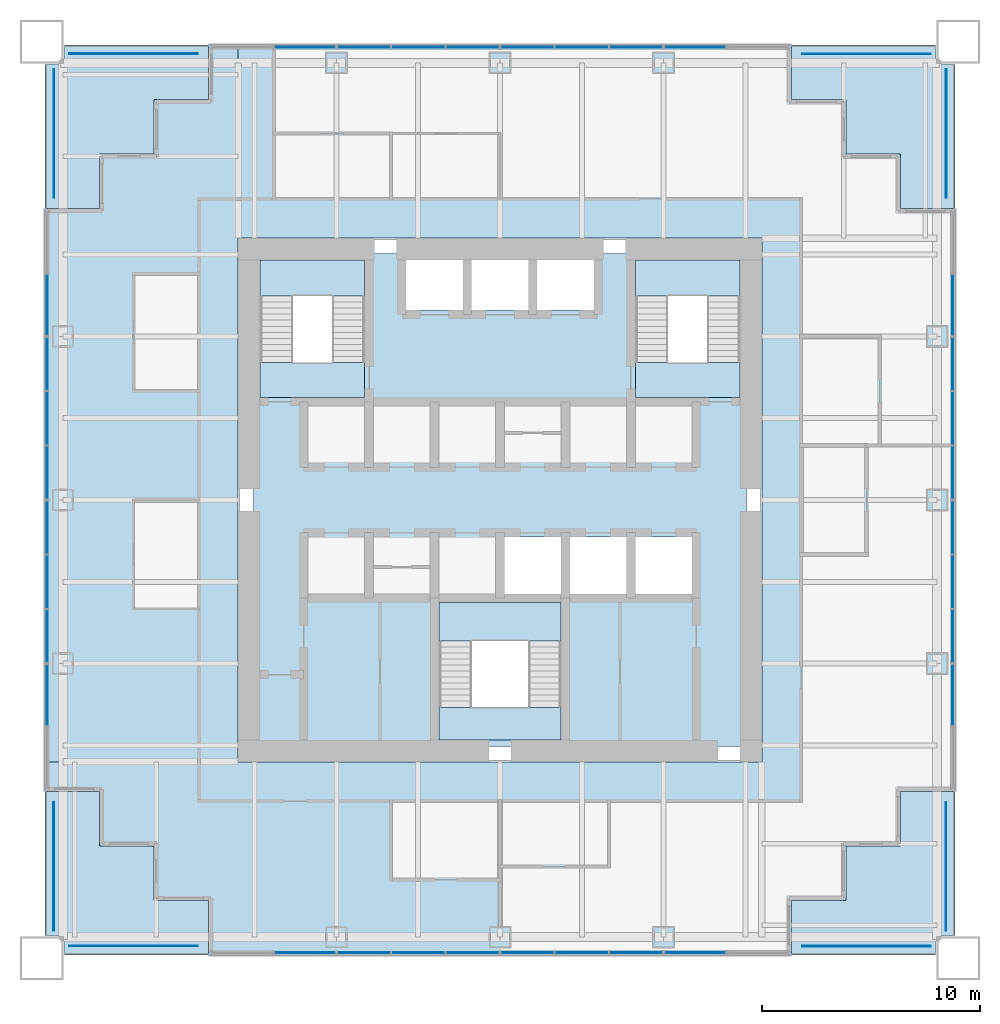
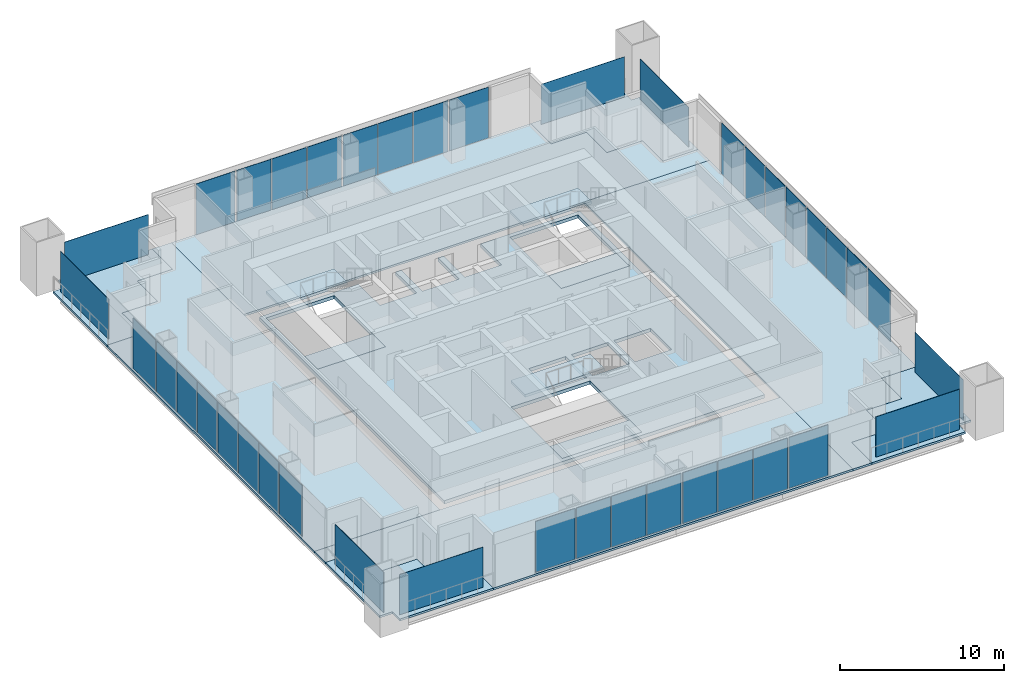
# One storey, part 8 of 14: 40 plates, 15 slabs, 19 elements without a shape of their own.
"""IFC4 building model written with IfcOpenShell, lengths in metres."""

from ifc_helpers import new_model, si_unit, direction, frame, origin, origin_2d, place, context, subcontext, project, spatial, polyline, rectangle, outline, extrude, material, layer, layer_set, type_object, element, aggregate, save


model = new_model("IFC4")

# Units and contexts
model_context = context("Model", 3, precision=1e-05, world=origin(), true_north=direction((0.0, 1.0)))
body_context = subcontext(model_context, "Body", "Model", "MODEL_VIEW")
ifc_project = project(units=[si_unit("LENGTHUNIT", "METRE"), si_unit("AREAUNIT", "SQUARE_METRE"), si_unit("VOLUMEUNIT", "CUBIC_METRE"), si_unit("PLANEANGLEUNIT", "RADIAN"), si_unit("MASSUNIT", "GRAM", prefix="KILO")], contexts=[model_context])

# Site, building, storey
site_placement = place(None, origin())
site = spatial("IfcSite", under=ifc_project, at=site_placement, CompositionType="ELEMENT")
building_placement = place(site_placement, origin())
building = spatial("IfcBuilding", under=site, at=building_placement, Name="Tarangal Relay Tower", CompositionType="ELEMENT")
storey_placement = place(building_placement, frame((0.0, 0.0, 263.89990234375)))
storey = spatial("IfcBuildingStorey", under=building, at=storey_placement, Name="L57", CompositionType="ELEMENT", Elevation=263.89990234375)

# Slabs
ifc_material_1 = material(Name="Concrete fc' 35 MPa", Category="concrete")
ifc_layer_1 = layer(ifc_material_1, 0.25)
ifc_layer_set_1 = layer_set([ifc_layer_1], Name="Core floor slab 250")
slab_type_1 = type_object("IfcSlabType", Name="Core floor slab 250", PredefinedType="FLOOR", material=ifc_layer_set_1)
slab_1_placement = place(storey_placement, frame((0.0, 0.0, -0.25)))
element("IfcSlab", 1, at=slab_1_placement, inside=storey, type_object=slab_type_1, Name="Core floor slab L57", PredefinedType="FLOOR", context=body_context, shape_type="SweptSolid", body=[
    extrude(outline(polyline([(11.300048828125, 11.300048828125), (11.300048828125, -11.300048828125), (-11.300048828125, -11.300048828125), (-11.300048828125, 11.300048828125), (-4.300048828125, 11.300048828125), (-4.300048828125, 8.699951171875), (-1.699951171875, 8.699951171875), (-1.699951171875, 11.300048828125), (-1.300048828125, 11.300048828125), (-1.300048828125, 8.699951171875), (1.300048828125, 8.699951171875), (1.300048828125, 11.300048828125), (1.699951171875, 11.300048828125), (1.699951171875, 8.699951171875), (4.300048828125, 8.699951171875), (4.300048828125, 11.300048828125), (11.300048828125, 11.300048828125)]), holes=[polyline([(2.800048828125, -4.699951171875), (-2.800048828125, -4.699951171875), (-2.800048828125, -11.0), (2.800048828125, -11.0), (2.800048828125, -4.699951171875)]), polyline([(2.800048828125, -1.699951171875), (0.199951171875, -1.699951171875), (0.199951171875, -4.300048828125), (2.800048828125, -4.300048828125), (2.800048828125, -1.699951171875)]), polyline([(5.800048828125, -1.699951171875), (3.199951171875, -1.699951171875), (3.199951171875, -4.300048828125), (5.800048828125, -4.300048828125), (5.800048828125, -1.699951171875)]), polyline([(8.800048828125, -1.699951171875), (6.199951171875, -1.699951171875), (6.199951171875, -4.300048828125), (8.800048828125, -4.300048828125), (8.800048828125, -1.699951171875)]), polyline([(-6.199951171875, 11.0), (-11.0, 11.0), (-11.0, 4.699951171875), (-6.199951171875, 4.699951171875), (-6.199951171875, 11.0)]), polyline([(11.0, 11.0), (6.199951171875, 11.0), (6.199951171875, 4.699951171875), (11.0, 4.699951171875), (11.0, 11.0)])]), origin(), (0.0, 0.0, 1.0), 0.25),
])
ifc_layer_2 = layer(ifc_material_1, 0.14990234375)
ifc_layer_set_2 = layer_set([ifc_layer_2], Name="Floor slab 150")
slab_type_2 = type_object("IfcSlabType", Name="Floor slab 150", PredefinedType="FLOOR", material=ifc_layer_set_2)
slab_2_placement = place(storey_placement, frame((0.0, 0.0, -0.14990234375)))
element("IfcSlab", 2, at=slab_2_placement, inside=storey, type_object=slab_type_2, Name="Floor slab FS3 L57 north bay", PredefinedType="FLOOR", context=body_context, shape_type="SweptSolid", body=[
    extrude(outline(polyline([(13.35009765625, 20.85009765625), (13.35009765625, 18.35009765625), (15.85009765625, 18.35009765625), (15.85009765625, 15.85009765625), (18.35009765625, 15.85009765625), (18.35009765625, 13.35009765625), (20.85009765625, 13.35009765625), (20.85009765625, 12.0), (-12.0, 12.0), (-12.0, 20.85009765625), (13.35009765625, 20.85009765625)])), origin(), (0.0, 0.0, 1.0), 0.14990234375),
])
slab_3_placement = place(storey_placement, frame((0.0, 0.0, -0.14990234375)))
element("IfcSlab", 3, at=slab_3_placement, inside=storey, type_object=slab_type_2, Name="Floor slab FS3 L57 east bay", PredefinedType="FLOOR", context=body_context, shape_type="SweptSolid", body=[
    extrude(outline(polyline([(20.85009765625, -13.35009765625), (18.35009765625, -13.35009765625), (18.35009765625, -15.85009765625), (15.85009765625, -15.85009765625), (15.85009765625, -18.35009765625), (13.35009765625, -18.35009765625), (13.35009765625, -20.85009765625), (12.0, -20.85009765625), (12.0, 12.0), (20.85009765625, 12.0), (20.85009765625, -13.35009765625)])), origin(), (0.0, 0.0, 1.0), 0.14990234375),
])
slab_4_placement = place(storey_placement, frame((0.0, 0.0, -0.14990234375)))
element("IfcSlab", 4, at=slab_4_placement, inside=storey, type_object=slab_type_2, Name="Floor slab FS3 L57 south bay", PredefinedType="FLOOR", context=body_context, shape_type="SweptSolid", body=[
    extrude(outline(polyline([(-13.35009765625, -20.85009765625), (-13.35009765625, -18.35009765625), (-15.85009765625, -18.35009765625), (-15.85009765625, -15.85009765625), (-18.35009765625, -15.85009765625), (-18.35009765625, -13.35009765625), (-20.85009765625, -13.35009765625), (-20.85009765625, -12.0), (12.0, -12.0), (12.0, -20.85009765625), (-13.35009765625, -20.85009765625)])), origin(), (0.0, 0.0, 1.0), 0.14990234375),
])
slab_5_placement = place(storey_placement, frame((0.0, 0.0, -0.14990234375)))
element("IfcSlab", 5, at=slab_5_placement, inside=storey, type_object=slab_type_2, Name="Floor slab FS3 L57 west bay", PredefinedType="FLOOR", context=body_context, shape_type="SweptSolid", body=[
    extrude(outline(polyline([(-12.0, 20.85009765625), (-12.0, -12.0), (-20.85009765625, -12.0), (-20.85009765625, 13.35009765625), (-18.35009765625, 13.35009765625), (-18.35009765625, 15.85009765625), (-15.85009765625, 15.85009765625), (-15.85009765625, 18.35009765625), (-13.35009765625, 18.35009765625), (-13.35009765625, 20.85009765625), (-12.0, 20.85009765625)])), origin(), (0.0, 0.0, 1.0), 0.14990234375),
])

# Curtain wall, plate
ifc_material_2 = material(Name="Unitised curtain wall, dark glass and black aluminium", Category="aluminium")
curtain_wall_type = type_object("IfcCurtainWallType", Name="Curtain wall CW-B", PredefinedType="USERDEFINED", material=ifc_material_2)
curtain_wall_1_placement = place(storey_placement, origin())
curtain_wall_1 = element("IfcCurtainWall", 6, at=curtain_wall_1_placement, inside=storey, type_object=curtain_wall_type, Name="Curtain wall CW-B N facade L57", ObjectType="UNITISED CURTAIN WALL", PredefinedType="USERDEFINED")
ifc_material_3 = material(Name="Dark tinted insulated glass unit", Category="glass")
ifc_layer_3 = layer(ifc_material_3, 0.030029296875)
ifc_layer_set_3 = layer_set([ifc_layer_3], Name="Glazed panel CW-B 30")
plate_type_1 = type_object("IfcPlateType", Name="Glazed panel CW-B 30", PredefinedType="CURTAIN_PANEL", material=ifc_layer_set_3)
plate_1_placement = place(storey_placement, frame((-8.9375, 20.75, 0.06005859375), z_axis=(0.0, 0.0, 1.0), x_axis=(1.0, 0.0, 0.0)))
plate_1 = element("IfcPlate", 7, at=plate_1_placement, type_object=plate_type_1, Name="CW-B panel 1.1", PredefinedType="CURTAIN_PANEL", context=body_context, shape_type="SweptSolid", body=[
    extrude(rectangle(XDim=2.7548828125, YDim=0.030029296875, at=origin_2d()), origin(), (0.0, 0.0, 1.0), 3.7900390625),
])
aggregate(curtain_wall_1, [plate_1])

# Curtain wall, plates
curtain_wall_2_placement = place(storey_placement, origin())
curtain_wall_2 = element("IfcCurtainWall", 8, at=curtain_wall_2_placement, inside=storey, type_object=curtain_wall_type, Name="Curtain wall CW-B N facade L57", ObjectType="UNITISED CURTAIN WALL", PredefinedType="USERDEFINED")
plate_2_placement = place(storey_placement, frame((-6.235107421875, 20.75, 0.06005859375), z_axis=(0.0, 0.0, 1.0), x_axis=(1.0, 0.0, 0.0)))
plate_2 = element("IfcPlate", 9, at=plate_2_placement, type_object=plate_type_1, Name="CW-B panel 1.1", PredefinedType="CURTAIN_PANEL", context=body_context, shape_type="SweptSolid", body=[
    extrude(rectangle(XDim=2.409912109375, YDim=0.030029296875, at=origin_2d()), origin(), (0.0, 0.0, 1.0), 3.7900390625),
])
plate_3_placement = place(storey_placement, frame((-3.75, 20.75, 0.06005859375), z_axis=(0.0, 0.0, 1.0), x_axis=(1.0, 0.0, 0.0)))
plate_3 = element("IfcPlate", 10, at=plate_3_placement, type_object=plate_type_1, Name="CW-B panel 2.1", PredefinedType="CURTAIN_PANEL", context=body_context, shape_type="SweptSolid", body=[
    extrude(rectangle(XDim=2.43994140625, YDim=0.030029296875, at=origin_2d()), origin(), (0.0, 0.0, 1.0), 3.7900390625),
])
plate_4_placement = place(storey_placement, frame((-1.264892578125, 20.75, 0.06005859375), z_axis=(0.0, 0.0, 1.0), x_axis=(1.0, 0.0, 0.0)))
plate_4 = element("IfcPlate", 11, at=plate_4_placement, type_object=plate_type_1, Name="CW-B panel 3.1", PredefinedType="CURTAIN_PANEL", context=body_context, shape_type="SweptSolid", body=[
    extrude(rectangle(XDim=2.409912109375, YDim=0.030029296875, at=origin_2d()), origin(), (0.0, 0.0, 1.0), 3.7900390625),
])
aggregate(curtain_wall_2, [plate_2, plate_3, plate_4])

curtain_wall_3_placement = place(storey_placement, origin())
curtain_wall_3 = element("IfcCurtainWall", 12, at=curtain_wall_3_placement, inside=storey, type_object=curtain_wall_type, Name="Curtain wall CW-B N facade L57", ObjectType="UNITISED CURTAIN WALL", PredefinedType="USERDEFINED")
plate_5_placement = place(storey_placement, frame((1.264892578125, 20.75, 0.06005859375), z_axis=(0.0, 0.0, 1.0), x_axis=(1.0, 0.0, 0.0)))
plate_5 = element("IfcPlate", 13, at=plate_5_placement, type_object=plate_type_1, Name="CW-B panel 1.1", PredefinedType="CURTAIN_PANEL", context=body_context, shape_type="SweptSolid", body=[
    extrude(rectangle(XDim=2.409912109375, YDim=0.030029296875, at=origin_2d()), origin(), (0.0, 0.0, 1.0), 3.7900390625),
])
plate_6_placement = place(storey_placement, frame((3.75, 20.75, 0.06005859375), z_axis=(0.0, 0.0, 1.0), x_axis=(1.0, 0.0, 0.0)))
plate_6 = element("IfcPlate", 14, at=plate_6_placement, type_object=plate_type_1, Name="CW-B panel 2.1", PredefinedType="CURTAIN_PANEL", context=body_context, shape_type="SweptSolid", body=[
    extrude(rectangle(XDim=2.43994140625, YDim=0.030029296875, at=origin_2d()), origin(), (0.0, 0.0, 1.0), 3.7900390625),
])
plate_7_placement = place(storey_placement, frame((6.235107421875, 20.75, 0.06005859375), z_axis=(0.0, 0.0, 1.0), x_axis=(1.0, 0.0, 0.0)))
plate_7 = element("IfcPlate", 15, at=plate_7_placement, type_object=plate_type_1, Name="CW-B panel 3.1", PredefinedType="CURTAIN_PANEL", context=body_context, shape_type="SweptSolid", body=[
    extrude(rectangle(XDim=2.409912109375, YDim=0.030029296875, at=origin_2d()), origin(), (0.0, 0.0, 1.0), 3.7900390625),
])
aggregate(curtain_wall_3, [plate_5, plate_6, plate_7])

# Curtain wall, plate
curtain_wall_4_placement = place(storey_placement, origin())
curtain_wall_4 = element("IfcCurtainWall", 16, at=curtain_wall_4_placement, inside=storey, type_object=curtain_wall_type, Name="Curtain wall CW-B N facade L57", ObjectType="UNITISED CURTAIN WALL", PredefinedType="USERDEFINED")
plate_8_placement = place(storey_placement, frame((8.9375, 20.75, 0.06005859375), z_axis=(0.0, 0.0, 1.0), x_axis=(1.0, 0.0, 0.0)))
plate_8 = element("IfcPlate", 17, at=plate_8_placement, type_object=plate_type_1, Name="CW-B panel 1.1", PredefinedType="CURTAIN_PANEL", context=body_context, shape_type="SweptSolid", body=[
    extrude(rectangle(XDim=2.7548828125, YDim=0.030029296875, at=origin_2d()), origin(), (0.0, 0.0, 1.0), 3.7900390625),
])
aggregate(curtain_wall_4, [plate_8])

curtain_wall_5_placement = place(storey_placement, origin())
curtain_wall_5 = element("IfcCurtainWall", 18, at=curtain_wall_5_placement, inside=storey, type_object=curtain_wall_type, Name="Curtain wall CW-B E facade L57", ObjectType="UNITISED CURTAIN WALL", PredefinedType="USERDEFINED")
plate_9_placement = place(storey_placement, frame((20.75, 8.9375, 0.06005859375), z_axis=(0.0, 0.0, 1.0), x_axis=(0.0, -1.0, 0.0)))
plate_9 = element("IfcPlate", 19, at=plate_9_placement, type_object=plate_type_1, Name="CW-B panel 1.1", PredefinedType="CURTAIN_PANEL", context=body_context, shape_type="SweptSolid", body=[
    extrude(rectangle(XDim=2.7548828125, YDim=0.030029296875, at=origin_2d()), origin(), (0.0, 0.0, 1.0), 3.7900390625),
])
aggregate(curtain_wall_5, [plate_9])

# Curtain wall, plates
curtain_wall_6_placement = place(storey_placement, origin())
curtain_wall_6 = element("IfcCurtainWall", 20, at=curtain_wall_6_placement, inside=storey, type_object=curtain_wall_type, Name="Curtain wall CW-B E facade L57", ObjectType="UNITISED CURTAIN WALL", PredefinedType="USERDEFINED")
plate_10_placement = place(storey_placement, frame((20.75, 6.235107421875, 0.06005859375), z_axis=(0.0, 0.0, 1.0), x_axis=(0.0, -1.0, 0.0)))
plate_10 = element("IfcPlate", 21, at=plate_10_placement, type_object=plate_type_1, Name="CW-B panel 1.1", PredefinedType="CURTAIN_PANEL", context=body_context, shape_type="SweptSolid", body=[
    extrude(rectangle(XDim=2.409912109375, YDim=0.030029296875, at=origin_2d()), origin(), (0.0, 0.0, 1.0), 3.7900390625),
])
plate_11_placement = place(storey_placement, frame((20.75, 3.75, 0.06005859375), z_axis=(0.0, 0.0, 1.0), x_axis=(0.0, -1.0, 0.0)))
plate_11 = element("IfcPlate", 22, at=plate_11_placement, type_object=plate_type_1, Name="CW-B panel 2.1", PredefinedType="CURTAIN_PANEL", context=body_context, shape_type="SweptSolid", body=[
    extrude(rectangle(XDim=2.43994140625, YDim=0.030029296875, at=origin_2d()), origin(), (0.0, 0.0, 1.0), 3.7900390625),
])
plate_12_placement = place(storey_placement, frame((20.75, 1.264892578125, 0.06005859375), z_axis=(0.0, 0.0, 1.0), x_axis=(0.0, -1.0, 0.0)))
plate_12 = element("IfcPlate", 23, at=plate_12_placement, type_object=plate_type_1, Name="CW-B panel 3.1", PredefinedType="CURTAIN_PANEL", context=body_context, shape_type="SweptSolid", body=[
    extrude(rectangle(XDim=2.409912109375, YDim=0.030029296875, at=origin_2d()), origin(), (0.0, 0.0, 1.0), 3.7900390625),
])
aggregate(curtain_wall_6, [plate_10, plate_11, plate_12])

curtain_wall_7_placement = place(storey_placement, origin())
curtain_wall_7 = element("IfcCurtainWall", 24, at=curtain_wall_7_placement, inside=storey, type_object=curtain_wall_type, Name="Curtain wall CW-B E facade L57", ObjectType="UNITISED CURTAIN WALL", PredefinedType="USERDEFINED")
plate_13_placement = place(storey_placement, frame((20.75, -1.264892578125, 0.06005859375), z_axis=(0.0, 0.0, 1.0), x_axis=(0.0, -1.0, 0.0)))
plate_13 = element("IfcPlate", 25, at=plate_13_placement, type_object=plate_type_1, Name="CW-B panel 1.1", PredefinedType="CURTAIN_PANEL", context=body_context, shape_type="SweptSolid", body=[
    extrude(rectangle(XDim=2.409912109375, YDim=0.030029296875, at=origin_2d()), origin(), (0.0, 0.0, 1.0), 3.7900390625),
])
plate_14_placement = place(storey_placement, frame((20.75, -3.75, 0.06005859375), z_axis=(0.0, 0.0, 1.0), x_axis=(0.0, -1.0, 0.0)))
plate_14 = element("IfcPlate", 26, at=plate_14_placement, type_object=plate_type_1, Name="CW-B panel 2.1", PredefinedType="CURTAIN_PANEL", context=body_context, shape_type="SweptSolid", body=[
    extrude(rectangle(XDim=2.43994140625, YDim=0.030029296875, at=origin_2d()), origin(), (0.0, 0.0, 1.0), 3.7900390625),
])
plate_15_placement = place(storey_placement, frame((20.75, -6.235107421875, 0.06005859375), z_axis=(0.0, 0.0, 1.0), x_axis=(0.0, -1.0, 0.0)))
plate_15 = element("IfcPlate", 27, at=plate_15_placement, type_object=plate_type_1, Name="CW-B panel 3.1", PredefinedType="CURTAIN_PANEL", context=body_context, shape_type="SweptSolid", body=[
    extrude(rectangle(XDim=2.409912109375, YDim=0.030029296875, at=origin_2d()), origin(), (0.0, 0.0, 1.0), 3.7900390625),
])
aggregate(curtain_wall_7, [plate_13, plate_14, plate_15])

# Curtain wall, plate
curtain_wall_8_placement = place(storey_placement, origin())
curtain_wall_8 = element("IfcCurtainWall", 28, at=curtain_wall_8_placement, inside=storey, type_object=curtain_wall_type, Name="Curtain wall CW-B E facade L57", ObjectType="UNITISED CURTAIN WALL", PredefinedType="USERDEFINED")
plate_16_placement = place(storey_placement, frame((20.75, -8.9375, 0.06005859375), z_axis=(0.0, 0.0, 1.0), x_axis=(0.0, -1.0, 0.0)))
plate_16 = element("IfcPlate", 29, at=plate_16_placement, type_object=plate_type_1, Name="CW-B panel 1.1", PredefinedType="CURTAIN_PANEL", context=body_context, shape_type="SweptSolid", body=[
    extrude(rectangle(XDim=2.7548828125, YDim=0.030029296875, at=origin_2d()), origin(), (0.0, 0.0, 1.0), 3.7900390625),
])
aggregate(curtain_wall_8, [plate_16])

curtain_wall_9_placement = place(storey_placement, origin())
curtain_wall_9 = element("IfcCurtainWall", 30, at=curtain_wall_9_placement, inside=storey, type_object=curtain_wall_type, Name="Curtain wall CW-B S facade L57", ObjectType="UNITISED CURTAIN WALL", PredefinedType="USERDEFINED")
plate_17_placement = place(storey_placement, frame((8.9375, -20.75, 0.06005859375), z_axis=(0.0, 0.0, 1.0), x_axis=(-1.0, 0.0, 0.0)))
plate_17 = element("IfcPlate", 31, at=plate_17_placement, type_object=plate_type_1, Name="CW-B panel 1.1", PredefinedType="CURTAIN_PANEL", context=body_context, shape_type="SweptSolid", body=[
    extrude(rectangle(XDim=2.7548828125, YDim=0.030029296875, at=origin_2d()), origin(), (0.0, 0.0, 1.0), 3.7900390625),
])
aggregate(curtain_wall_9, [plate_17])

# Curtain wall, plates
curtain_wall_10_placement = place(storey_placement, origin())
curtain_wall_10 = element("IfcCurtainWall", 32, at=curtain_wall_10_placement, inside=storey, type_object=curtain_wall_type, Name="Curtain wall CW-B S facade L57", ObjectType="UNITISED CURTAIN WALL", PredefinedType="USERDEFINED")
plate_18_placement = place(storey_placement, frame((6.235107421875, -20.75, 0.06005859375), z_axis=(0.0, 0.0, 1.0), x_axis=(-1.0, 0.0, 0.0)))
plate_18 = element("IfcPlate", 33, at=plate_18_placement, type_object=plate_type_1, Name="CW-B panel 1.1", PredefinedType="CURTAIN_PANEL", context=body_context, shape_type="SweptSolid", body=[
    extrude(rectangle(XDim=2.409912109375, YDim=0.030029296875, at=origin_2d()), origin(), (0.0, 0.0, 1.0), 3.7900390625),
])
plate_19_placement = place(storey_placement, frame((3.75, -20.75, 0.06005859375), z_axis=(0.0, 0.0, 1.0), x_axis=(-1.0, 0.0, 0.0)))
plate_19 = element("IfcPlate", 34, at=plate_19_placement, type_object=plate_type_1, Name="CW-B panel 2.1", PredefinedType="CURTAIN_PANEL", context=body_context, shape_type="SweptSolid", body=[
    extrude(rectangle(XDim=2.43994140625, YDim=0.030029296875, at=origin_2d()), origin(), (0.0, 0.0, 1.0), 3.7900390625),
])
plate_20_placement = place(storey_placement, frame((1.264892578125, -20.75, 0.06005859375), z_axis=(0.0, 0.0, 1.0), x_axis=(-1.0, 0.0, 0.0)))
plate_20 = element("IfcPlate", 35, at=plate_20_placement, type_object=plate_type_1, Name="CW-B panel 3.1", PredefinedType="CURTAIN_PANEL", context=body_context, shape_type="SweptSolid", body=[
    extrude(rectangle(XDim=2.409912109375, YDim=0.030029296875, at=origin_2d()), origin(), (0.0, 0.0, 1.0), 3.7900390625),
])
aggregate(curtain_wall_10, [plate_18, plate_19, plate_20])

curtain_wall_11_placement = place(storey_placement, origin())
curtain_wall_11 = element("IfcCurtainWall", 36, at=curtain_wall_11_placement, inside=storey, type_object=curtain_wall_type, Name="Curtain wall CW-B S facade L57", ObjectType="UNITISED CURTAIN WALL", PredefinedType="USERDEFINED")
plate_21_placement = place(storey_placement, frame((-1.264892578125, -20.75, 0.06005859375), z_axis=(0.0, 0.0, 1.0), x_axis=(-1.0, 0.0, 0.0)))
plate_21 = element("IfcPlate", 37, at=plate_21_placement, type_object=plate_type_1, Name="CW-B panel 1.1", PredefinedType="CURTAIN_PANEL", context=body_context, shape_type="SweptSolid", body=[
    extrude(rectangle(XDim=2.409912109375, YDim=0.030029296875, at=origin_2d()), origin(), (0.0, 0.0, 1.0), 3.7900390625),
])
plate_22_placement = place(storey_placement, frame((-3.75, -20.75, 0.06005859375), z_axis=(0.0, 0.0, 1.0), x_axis=(-1.0, 0.0, 0.0)))
plate_22 = element("IfcPlate", 38, at=plate_22_placement, type_object=plate_type_1, Name="CW-B panel 2.1", PredefinedType="CURTAIN_PANEL", context=body_context, shape_type="SweptSolid", body=[
    extrude(rectangle(XDim=2.43994140625, YDim=0.030029296875, at=origin_2d()), origin(), (0.0, 0.0, 1.0), 3.7900390625),
])
plate_23_placement = place(storey_placement, frame((-6.235107421875, -20.75, 0.06005859375), z_axis=(0.0, 0.0, 1.0), x_axis=(-1.0, 0.0, 0.0)))
plate_23 = element("IfcPlate", 39, at=plate_23_placement, type_object=plate_type_1, Name="CW-B panel 3.1", PredefinedType="CURTAIN_PANEL", context=body_context, shape_type="SweptSolid", body=[
    extrude(rectangle(XDim=2.409912109375, YDim=0.030029296875, at=origin_2d()), origin(), (0.0, 0.0, 1.0), 3.7900390625),
])
aggregate(curtain_wall_11, [plate_21, plate_22, plate_23])

# Curtain wall, plate
curtain_wall_12_placement = place(storey_placement, origin())
curtain_wall_12 = element("IfcCurtainWall", 40, at=curtain_wall_12_placement, inside=storey, type_object=curtain_wall_type, Name="Curtain wall CW-B S facade L57", ObjectType="UNITISED CURTAIN WALL", PredefinedType="USERDEFINED")
plate_24_placement = place(storey_placement, frame((-8.9375, -20.75, 0.06005859375), z_axis=(0.0, 0.0, 1.0), x_axis=(-1.0, 0.0, 0.0)))
plate_24 = element("IfcPlate", 41, at=plate_24_placement, type_object=plate_type_1, Name="CW-B panel 1.1", PredefinedType="CURTAIN_PANEL", context=body_context, shape_type="SweptSolid", body=[
    extrude(rectangle(XDim=2.7548828125, YDim=0.030029296875, at=origin_2d()), origin(), (0.0, 0.0, 1.0), 3.7900390625),
])
aggregate(curtain_wall_12, [plate_24])

curtain_wall_13_placement = place(storey_placement, origin())
curtain_wall_13 = element("IfcCurtainWall", 42, at=curtain_wall_13_placement, inside=storey, type_object=curtain_wall_type, Name="Curtain wall CW-B W facade L57", ObjectType="UNITISED CURTAIN WALL", PredefinedType="USERDEFINED")
plate_25_placement = place(storey_placement, frame((-20.75, -8.9375, 0.06005859375), z_axis=(0.0, 0.0, 1.0), x_axis=(0.0, 1.0, 0.0)))
plate_25 = element("IfcPlate", 43, at=plate_25_placement, type_object=plate_type_1, Name="CW-B panel 1.1", PredefinedType="CURTAIN_PANEL", context=body_context, shape_type="SweptSolid", body=[
    extrude(rectangle(XDim=2.7548828125, YDim=0.030029296875, at=origin_2d()), origin(), (0.0, 0.0, 1.0), 3.7900390625),
])
aggregate(curtain_wall_13, [plate_25])

# Curtain wall, plates
curtain_wall_14_placement = place(storey_placement, origin())
curtain_wall_14 = element("IfcCurtainWall", 44, at=curtain_wall_14_placement, inside=storey, type_object=curtain_wall_type, Name="Curtain wall CW-B W facade L57", ObjectType="UNITISED CURTAIN WALL", PredefinedType="USERDEFINED")
plate_26_placement = place(storey_placement, frame((-20.75, -6.235107421875, 0.06005859375), z_axis=(0.0, 0.0, 1.0), x_axis=(0.0, 1.0, 0.0)))
plate_26 = element("IfcPlate", 45, at=plate_26_placement, type_object=plate_type_1, Name="CW-B panel 1.1", PredefinedType="CURTAIN_PANEL", context=body_context, shape_type="SweptSolid", body=[
    extrude(rectangle(XDim=2.409912109375, YDim=0.030029296875, at=origin_2d()), origin(), (0.0, 0.0, 1.0), 3.7900390625),
])
plate_27_placement = place(storey_placement, frame((-20.75, -3.75, 0.06005859375), z_axis=(0.0, 0.0, 1.0), x_axis=(0.0, 1.0, 0.0)))
plate_27 = element("IfcPlate", 46, at=plate_27_placement, type_object=plate_type_1, Name="CW-B panel 2.1", PredefinedType="CURTAIN_PANEL", context=body_context, shape_type="SweptSolid", body=[
    extrude(rectangle(XDim=2.43994140625, YDim=0.030029296875, at=origin_2d()), origin(), (0.0, 0.0, 1.0), 3.7900390625),
])
plate_28_placement = place(storey_placement, frame((-20.75, -1.264892578125, 0.06005859375), z_axis=(0.0, 0.0, 1.0), x_axis=(0.0, 1.0, 0.0)))
plate_28 = element("IfcPlate", 47, at=plate_28_placement, type_object=plate_type_1, Name="CW-B panel 3.1", PredefinedType="CURTAIN_PANEL", context=body_context, shape_type="SweptSolid", body=[
    extrude(rectangle(XDim=2.409912109375, YDim=0.030029296875, at=origin_2d()), origin(), (0.0, 0.0, 1.0), 3.7900390625),
])
aggregate(curtain_wall_14, [plate_26, plate_27, plate_28])

curtain_wall_15_placement = place(storey_placement, origin())
curtain_wall_15 = element("IfcCurtainWall", 48, at=curtain_wall_15_placement, inside=storey, type_object=curtain_wall_type, Name="Curtain wall CW-B W facade L57", ObjectType="UNITISED CURTAIN WALL", PredefinedType="USERDEFINED")
plate_29_placement = place(storey_placement, frame((-20.75, 1.264892578125, 0.06005859375), z_axis=(0.0, 0.0, 1.0), x_axis=(0.0, 1.0, 0.0)))
plate_29 = element("IfcPlate", 49, at=plate_29_placement, type_object=plate_type_1, Name="CW-B panel 1.1", PredefinedType="CURTAIN_PANEL", context=body_context, shape_type="SweptSolid", body=[
    extrude(rectangle(XDim=2.409912109375, YDim=0.030029296875, at=origin_2d()), origin(), (0.0, 0.0, 1.0), 3.7900390625),
])
plate_30_placement = place(storey_placement, frame((-20.75, 3.75, 0.06005859375), z_axis=(0.0, 0.0, 1.0), x_axis=(0.0, 1.0, 0.0)))
plate_30 = element("IfcPlate", 50, at=plate_30_placement, type_object=plate_type_1, Name="CW-B panel 2.1", PredefinedType="CURTAIN_PANEL", context=body_context, shape_type="SweptSolid", body=[
    extrude(rectangle(XDim=2.43994140625, YDim=0.030029296875, at=origin_2d()), origin(), (0.0, 0.0, 1.0), 3.7900390625),
])
plate_31_placement = place(storey_placement, frame((-20.75, 6.235107421875, 0.06005859375), z_axis=(0.0, 0.0, 1.0), x_axis=(0.0, 1.0, 0.0)))
plate_31 = element("IfcPlate", 51, at=plate_31_placement, type_object=plate_type_1, Name="CW-B panel 3.1", PredefinedType="CURTAIN_PANEL", context=body_context, shape_type="SweptSolid", body=[
    extrude(rectangle(XDim=2.409912109375, YDim=0.030029296875, at=origin_2d()), origin(), (0.0, 0.0, 1.0), 3.7900390625),
])
aggregate(curtain_wall_15, [plate_29, plate_30, plate_31])

# Curtain wall, plate
curtain_wall_16_placement = place(storey_placement, origin())
curtain_wall_16 = element("IfcCurtainWall", 52, at=curtain_wall_16_placement, inside=storey, type_object=curtain_wall_type, Name="Curtain wall CW-B W facade L57", ObjectType="UNITISED CURTAIN WALL", PredefinedType="USERDEFINED")
plate_32_placement = place(storey_placement, frame((-20.75, 8.9375, 0.06005859375), z_axis=(0.0, 0.0, 1.0), x_axis=(0.0, 1.0, 0.0)))
plate_32 = element("IfcPlate", 53, at=plate_32_placement, type_object=plate_type_1, Name="CW-B panel 1.1", PredefinedType="CURTAIN_PANEL", context=body_context, shape_type="SweptSolid", body=[
    extrude(rectangle(XDim=2.7548828125, YDim=0.030029296875, at=origin_2d()), origin(), (0.0, 0.0, 1.0), 3.7900390625),
])
aggregate(curtain_wall_16, [plate_32])

# Plates
ifc_material_4 = material(Name="Black stainless steel cable trellis with climbing planting", Category="steel")
ifc_layer_4 = layer(ifc_material_4, 0.030029296875)
ifc_layer_set_4 = layer_set([ifc_layer_4], Name="Planted trellis screen")
plate_type_2 = type_object("IfcPlateType", Name="Planted trellis screen", PredefinedType="SHEET", material=ifc_layer_set_4)
for number, where, z_axis, x_axis, name in (
    (54, (20.449951171875, 16.800048828125, 0.0), (0.0, 0.0, 1.0), (0.0, -1.0, 0.0), "Planted trellis SC2 NE L57"),
    (55, (16.800048828125, -20.449951171875, 0.0), (0.0, 0.0, 1.0), (-1.0, 0.0, 0.0), "Planted trellis SC2 SE L57"),
    (56, (-20.449951171875, -16.800048828125, 0.0), (0.0, 0.0, 1.0), (0.0, 1.0, 0.0), "Planted trellis SC2 SW L57"),
    (57, (-16.800048828125, 20.449951171875, 0.0), (0.0, 0.0, 1.0), (1.0, 0.0, 0.0), "Planted trellis SC2 NW L57"),
):
    element("IfcPlate", number, at=place(storey_placement, frame(where, z_axis=z_axis, x_axis=x_axis)), inside=storey, type_object=plate_type_2, Name=name, PredefinedType="SHEET", context=body_context, shape_type="SweptSolid", body=[
        extrude(rectangle(XDim=5.89990234375, YDim=0.030029296875, at=origin_2d()), origin(), (0.0, 0.0, 1.0), 3.0),
    ])

# Stair, slabs
ifc_material_5 = material(Name="Steel ASTM A992 stair flight", Category="steel")
stair_type = type_object("IfcStairType", Name="Core stair 1500", PredefinedType="HALF_TURN_STAIR", material=ifc_material_5)
stair_1_placement = place(storey_placement, origin())
stair_1 = element("IfcStair", 58, at=stair_1_placement, inside=storey, type_object=stair_type, Name="Stair ST-A L57", PredefinedType="HALF_TURN_STAIR")
ifc_layer_5 = layer(ifc_material_1, 0.199951171875)
ifc_layer_set_5 = layer_set([ifc_layer_5], Name="Stair landing 200")
slab_type_3 = type_object("IfcSlabType", Name="Stair landing 200", PredefinedType="LANDING", material=ifc_layer_set_5)
slab_6_placement = place(storey_placement, frame((0.0, 0.0, -0.199951171875)))
slab_6 = element("IfcSlab", 59, at=slab_6_placement, type_object=slab_type_3, Name="ST-A landing 1", PredefinedType="LANDING", context=body_context, shape_type="SweptSolid", body=[
    extrude(outline(polyline([(-11.0, 4.699951171875), (-6.199951171875, 4.699951171875), (-6.199951171875, 6.300048828125), (-11.0, 6.300048828125), (-11.0, 4.699951171875)])), origin(), (0.0, 0.0, 1.0), 0.199951171875),
])
slab_7_placement = place(storey_placement, frame((0.0, 0.0, 1.800048828125)))
slab_7 = element("IfcSlab", 60, at=slab_7_placement, type_object=slab_type_3, Name="ST-A landing 2", PredefinedType="LANDING", context=body_context, shape_type="SweptSolid", body=[
    extrude(outline(polyline([(-11.0, 9.346923828125), (-6.199951171875, 9.346923828125), (-6.199951171875, 11.0), (-11.0, 11.0), (-11.0, 9.346923828125)])), origin(), (0.0, 0.0, 1.0), 0.199951171875),
])
aggregate(stair_1, [slab_6, slab_7])

stair_2_placement = place(storey_placement, origin())
stair_2 = element("IfcStair", 61, at=stair_2_placement, inside=storey, type_object=stair_type, Name="Stair ST-B L57", PredefinedType="HALF_TURN_STAIR")
slab_8_placement = place(storey_placement, frame((0.0, 0.0, -0.199951171875)))
slab_8 = element("IfcSlab", 62, at=slab_8_placement, type_object=slab_type_3, Name="ST-B landing 1", PredefinedType="LANDING", context=body_context, shape_type="SweptSolid", body=[
    extrude(outline(polyline([(6.199951171875, 4.699951171875), (11.0, 4.699951171875), (11.0, 6.300048828125), (6.199951171875, 6.300048828125), (6.199951171875, 4.699951171875)])), origin(), (0.0, 0.0, 1.0), 0.199951171875),
])
slab_9_placement = place(storey_placement, frame((0.0, 0.0, 1.800048828125)))
slab_9 = element("IfcSlab", 63, at=slab_9_placement, type_object=slab_type_3, Name="ST-B landing 2", PredefinedType="LANDING", context=body_context, shape_type="SweptSolid", body=[
    extrude(outline(polyline([(6.199951171875, 9.346923828125), (11.0, 9.346923828125), (11.0, 11.0), (6.199951171875, 11.0), (6.199951171875, 9.346923828125)])), origin(), (0.0, 0.0, 1.0), 0.199951171875),
])
aggregate(stair_2, [slab_8, slab_9])

stair_3_placement = place(storey_placement, origin())
stair_3 = element("IfcStair", 64, at=stair_3_placement, inside=storey, type_object=stair_type, Name="Stair ST-C L57", PredefinedType="HALF_TURN_STAIR")
slab_10_placement = place(storey_placement, frame((0.0, 0.0, -0.199951171875)))
slab_10 = element("IfcSlab", 65, at=slab_10_placement, type_object=slab_type_3, Name="ST-C landing 1", PredefinedType="LANDING", context=body_context, shape_type="SweptSolid", body=[
    extrude(outline(polyline([(-2.800048828125, -11.0), (2.800048828125, -11.0), (2.800048828125, -9.5), (-2.800048828125, -9.5), (-2.800048828125, -11.0)])), origin(), (0.0, 0.0, 1.0), 0.199951171875),
])
slab_11_placement = place(storey_placement, frame((0.0, 0.0, 1.800048828125)))
slab_11 = element("IfcSlab", 66, at=slab_11_placement, type_object=slab_type_3, Name="ST-C landing 2", PredefinedType="LANDING", context=body_context, shape_type="SweptSolid", body=[
    extrude(outline(polyline([(-2.800048828125, -6.452880859375), (2.800048828125, -6.452880859375), (2.800048828125, -4.699951171875), (-2.800048828125, -4.699951171875), (-2.800048828125, -6.452880859375)])), origin(), (0.0, 0.0, 1.0), 0.199951171875),
])
aggregate(stair_3, [slab_10, slab_11])

# Plates
ifc_material_6 = material(Name="Perforated black aluminium screen", Category="aluminium")
ifc_layer_6 = layer(ifc_material_6, 0.02001953125)
ifc_layer_set_6 = layer_set([ifc_layer_6], Name="Terrace screen panel")
plate_type_3 = type_object("IfcPlateType", Name="Terrace screen panel", PredefinedType="SHEET", material=ifc_layer_set_6)
for number, where, z_axis, x_axis, name in (
    (67, (16.800048828125, 20.449951171875, 0.0), (0.0, 0.0, 1.0), (1.0, 0.0, 0.0), "Terrace screen SC1 NE L57"),
    (68, (20.449951171875, -16.800048828125, 0.0), (0.0, 0.0, 1.0), (0.0, -1.0, 0.0), "Terrace screen SC1 SE L57"),
    (69, (-16.800048828125, -20.449951171875, 0.0), (0.0, 0.0, 1.0), (-1.0, 0.0, 0.0), "Terrace screen SC1 SW L57"),
    (70, (-20.449951171875, 16.800048828125, 0.0), (0.0, 0.0, 1.0), (0.0, 1.0, 0.0), "Terrace screen SC1 NW L57"),
):
    element("IfcPlate", number, at=place(storey_placement, frame(where, z_axis=z_axis, x_axis=x_axis)), inside=storey, type_object=plate_type_3, Name=name, PredefinedType="SHEET", context=body_context, shape_type="SweptSolid", body=[
        extrude(rectangle(XDim=5.89990234375, YDim=0.02001953125, at=origin_2d()), origin(), (0.0, 0.0, 1.0), 3.0),
    ])

# Slabs
ifc_layer_7 = layer(ifc_material_1, 0.14990234375)
ifc_layer_set_7 = layer_set([ifc_layer_7], Name="Terrace slab 150")
slab_type_4 = type_object("IfcSlabType", Name="Terrace slab 150", PredefinedType="FLOOR", material=ifc_layer_set_7)
slab_12_placement = place(storey_placement, frame((0.0, 0.0, -0.14990234375)))
element("IfcSlab", 71, at=slab_12_placement, inside=storey, type_object=slab_type_4, Name="Corner terrace NE L57", PredefinedType="FLOOR", context=body_context, shape_type="SweptSolid", body=[
    extrude(outline(polyline([(13.35009765625, 20.85009765625), (13.35009765625, 18.35009765625), (15.85009765625, 18.35009765625), (15.85009765625, 15.85009765625), (18.35009765625, 15.85009765625), (18.35009765625, 13.35009765625), (20.85009765625, 13.35009765625), (20.85009765625, 19.949951171875), (19.949951171875, 19.949951171875), (19.949951171875, 20.85009765625), (13.35009765625, 20.85009765625)])), origin(), (0.0, 0.0, 1.0), 0.14990234375),
])
slab_13_placement = place(storey_placement, frame((0.0, 0.0, -0.14990234375)))
element("IfcSlab", 72, at=slab_13_placement, inside=storey, type_object=slab_type_4, Name="Corner terrace SE L57", PredefinedType="FLOOR", context=body_context, shape_type="SweptSolid", body=[
    extrude(outline(polyline([(20.85009765625, -13.35009765625), (18.35009765625, -13.35009765625), (18.35009765625, -15.85009765625), (15.85009765625, -15.85009765625), (15.85009765625, -18.35009765625), (13.35009765625, -18.35009765625), (13.35009765625, -20.85009765625), (19.949951171875, -20.85009765625), (19.949951171875, -19.949951171875), (20.85009765625, -19.949951171875), (20.85009765625, -13.35009765625)])), origin(), (0.0, 0.0, 1.0), 0.14990234375),
])
slab_14_placement = place(storey_placement, frame((0.0, 0.0, -0.14990234375)))
element("IfcSlab", 73, at=slab_14_placement, inside=storey, type_object=slab_type_4, Name="Corner terrace SW L57", PredefinedType="FLOOR", context=body_context, shape_type="SweptSolid", body=[
    extrude(outline(polyline([(-13.35009765625, -20.85009765625), (-13.35009765625, -18.35009765625), (-15.85009765625, -18.35009765625), (-15.85009765625, -15.85009765625), (-18.35009765625, -15.85009765625), (-18.35009765625, -13.35009765625), (-20.85009765625, -13.35009765625), (-20.85009765625, -19.949951171875), (-19.949951171875, -19.949951171875), (-19.949951171875, -20.85009765625), (-13.35009765625, -20.85009765625)])), origin(), (0.0, 0.0, 1.0), 0.14990234375),
])
slab_15_placement = place(storey_placement, frame((0.0, 0.0, -0.14990234375)))
element("IfcSlab", 74, at=slab_15_placement, inside=storey, type_object=slab_type_4, Name="Corner terrace NW L57", PredefinedType="FLOOR", context=body_context, shape_type="SweptSolid", body=[
    extrude(outline(polyline([(-20.85009765625, 13.35009765625), (-18.35009765625, 13.35009765625), (-18.35009765625, 15.85009765625), (-15.85009765625, 15.85009765625), (-15.85009765625, 18.35009765625), (-13.35009765625, 18.35009765625), (-13.35009765625, 20.85009765625), (-19.949951171875, 20.85009765625), (-19.949951171875, 19.949951171875), (-20.85009765625, 19.949951171875), (-20.85009765625, 13.35009765625)])), origin(), (0.0, 0.0, 1.0), 0.14990234375),
])

save(model, "model.ifc")
